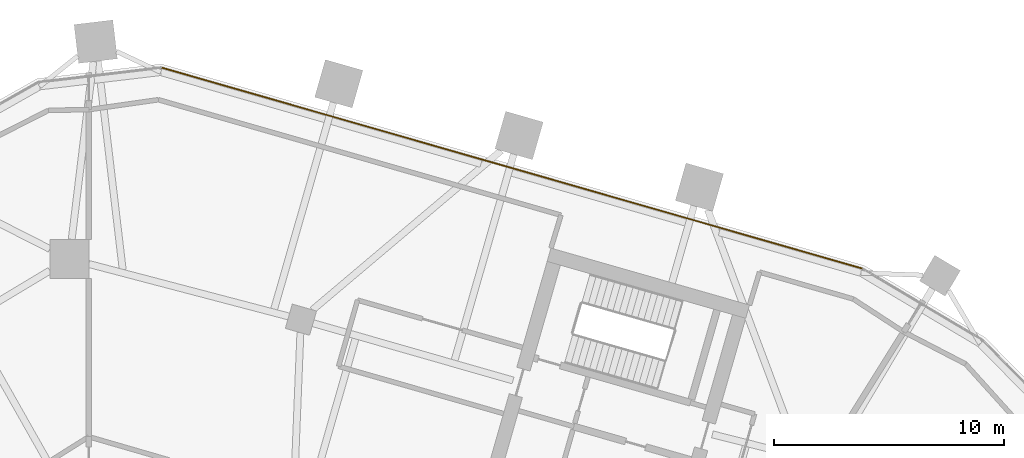
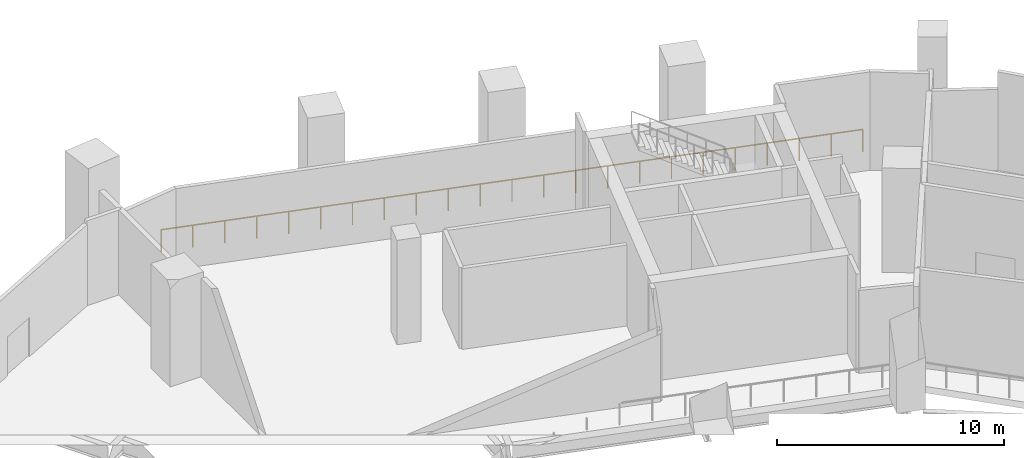
# One storey, part 11 of 11: 1 railing.
"""IFC4 building model written with IfcOpenShell, lengths in metres."""

from ifc_helpers import new_model, si_unit, direction, frame, origin, origin_2d, place, context, subcontext, project, spatial, circle, extrude, material, type_object, element, save


model = new_model("IFC4")

# Units and contexts
model_context = context("Model", 3, precision=1e-05, world=origin(), true_north=direction((0.0, 1.0)))
body_context = subcontext(model_context, "Body", "Model", "MODEL_VIEW")
ifc_project = project(units=[si_unit("LENGTHUNIT", "METRE"), si_unit("AREAUNIT", "SQUARE_METRE"), si_unit("VOLUMEUNIT", "CUBIC_METRE"), si_unit("PLANEANGLEUNIT", "RADIAN"), si_unit("MASSUNIT", "GRAM", prefix="KILO")], contexts=[model_context])

# Site, building, storey
site_placement = place(None, origin())
site = spatial("IfcSite", under=ifc_project, at=site_placement, CompositionType="ELEMENT")
building_placement = place(site_placement, origin())
building = spatial("IfcBuilding", under=site, at=building_placement, Name="Binnacle Exchange Tower", CompositionType="ELEMENT")
storey_placement = place(building_placement, frame((0.0, 0.0, 91.5)))
storey = spatial("IfcBuildingStorey", under=building, at=storey_placement, Name="L18", CompositionType="ELEMENT", Elevation=91.5)

# Railing
ifc_material = material(Name="Bronze anodised aluminium frame", Category="aluminium")
railing_type = type_object("IfcRailingType", Name="GUARD 1200", PredefinedType="GUARDRAIL", material=ifc_material)
railing_placement = place(storey_placement, frame((3.146484375, 68.341064453125, 0.0)))
element("IfcRailing", 1, at=railing_placement, inside=storey, type_object=railing_type, Name="Slab edge guard 12 L18", PredefinedType="GUARDRAIL", context=body_context, shape_type="SweptSolid", body=[
    extrude(circle(Radius=0.02392578125, at=origin_2d()), frame((0.0, 0.0, 1.17578125), z_axis=(0.961259705375, -0.27564429764, 0.0), x_axis=(0.27564429764, 0.961259705375, 0.0)), (0.0, 0.0, 1.0), 31.8154296875),
    extrude(circle(Radius=0.02099609375, at=origin_2d()), origin(), (0.0, 0.0, 1.0), 1.15185546875),
    extrude(circle(Radius=0.02099609375, at=origin_2d()), frame((1.39013671875, -0.398681640625, 0.0)), (0.0, 0.0, 1.0), 1.15185546875),
    extrude(circle(Radius=0.02099609375, at=origin_2d()), frame((2.7802734375, -0.79736328125, 0.0)), (0.0, 0.0, 1.0), 1.15185546875),
    extrude(circle(Radius=0.02099609375, at=origin_2d()), frame((4.17041015625, -1.19580078125, 0.0)), (0.0, 0.0, 1.0), 1.15185546875),
    extrude(circle(Radius=0.02099609375, at=origin_2d()), frame((5.560546875, -1.594482421875, 0.0)), (0.0, 0.0, 1.0), 1.15185546875),
    extrude(circle(Radius=0.02099609375, at=origin_2d()), frame((6.95068359375, -1.9931640625, 0.0)), (0.0, 0.0, 1.0), 1.15185546875),
    extrude(circle(Radius=0.02099609375, at=origin_2d()), frame((8.3408203125, -2.391845703125, 0.0)), (0.0, 0.0, 1.0), 1.15185546875),
    extrude(circle(Radius=0.02099609375, at=origin_2d()), frame((9.73095703125, -2.790283203125, 0.0)), (0.0, 0.0, 1.0), 1.15185546875),
    extrude(circle(Radius=0.02099609375, at=origin_2d()), frame((11.12109375, -3.18896484375, 0.0)), (0.0, 0.0, 1.0), 1.15185546875),
    extrude(circle(Radius=0.02099609375, at=origin_2d()), frame((12.51123046875, -3.587646484375, 0.0)), (0.0, 0.0, 1.0), 1.15185546875),
    extrude(circle(Radius=0.02099609375, at=origin_2d()), frame((13.9013671875, -3.986328125, 0.0)), (0.0, 0.0, 1.0), 1.15185546875),
    extrude(circle(Radius=0.02099609375, at=origin_2d()), frame((15.29150390625, -4.384765625, 0.0)), (0.0, 0.0, 1.0), 1.15185546875),
    extrude(circle(Radius=0.02099609375, at=origin_2d()), frame((16.681640625, -4.783447265625, 0.0)), (0.0, 0.0, 1.0), 1.15185546875),
    extrude(circle(Radius=0.02099609375, at=origin_2d()), frame((18.07177734375, -5.18212890625, 0.0)), (0.0, 0.0, 1.0), 1.15185546875),
    extrude(circle(Radius=0.02099609375, at=origin_2d()), frame((19.4619140625, -5.580810546875, 0.0)), (0.0, 0.0, 1.0), 1.15185546875),
    extrude(circle(Radius=0.02099609375, at=origin_2d()), frame((20.85205078125, -5.9794921875, 0.0)), (0.0, 0.0, 1.0), 1.15185546875),
    extrude(circle(Radius=0.02099609375, at=origin_2d()), frame((22.2421875, -6.3779296875, 0.0)), (0.0, 0.0, 1.0), 1.15185546875),
    extrude(circle(Radius=0.02099609375, at=origin_2d()), frame((23.63232421875, -6.776611328125, 0.0)), (0.0, 0.0, 1.0), 1.15185546875),
    extrude(circle(Radius=0.02099609375, at=origin_2d()), frame((25.0224609375, -7.17529296875, 0.0)), (0.0, 0.0, 1.0), 1.15185546875),
    extrude(circle(Radius=0.02099609375, at=origin_2d()), frame((26.41259765625, -7.573974609375, 0.0)), (0.0, 0.0, 1.0), 1.15185546875),
    extrude(circle(Radius=0.02099609375, at=origin_2d()), frame((27.802734375, -7.972412109375, 0.0)), (0.0, 0.0, 1.0), 1.15185546875),
    extrude(circle(Radius=0.02099609375, at=origin_2d()), frame((29.19287109375, -8.37109375, 0.0)), (0.0, 0.0, 1.0), 1.15185546875),
    extrude(circle(Radius=0.02099609375, at=origin_2d()), frame((30.5830078125, -8.769775390625, 0.0)), (0.0, 0.0, 1.0), 1.15185546875),
])

save(model, "model.ifc")
